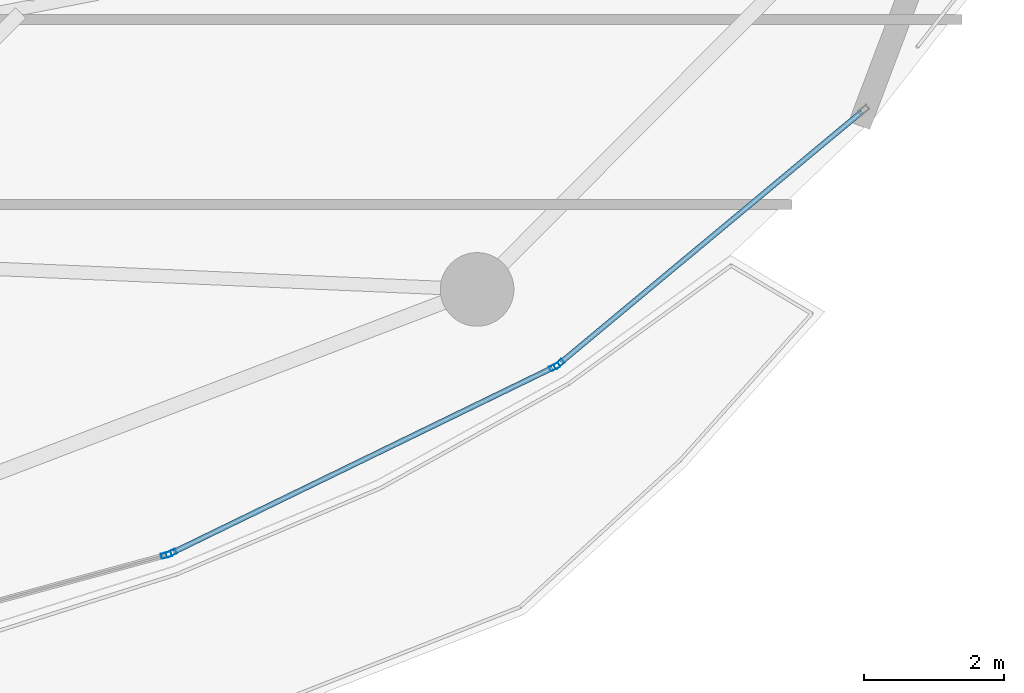
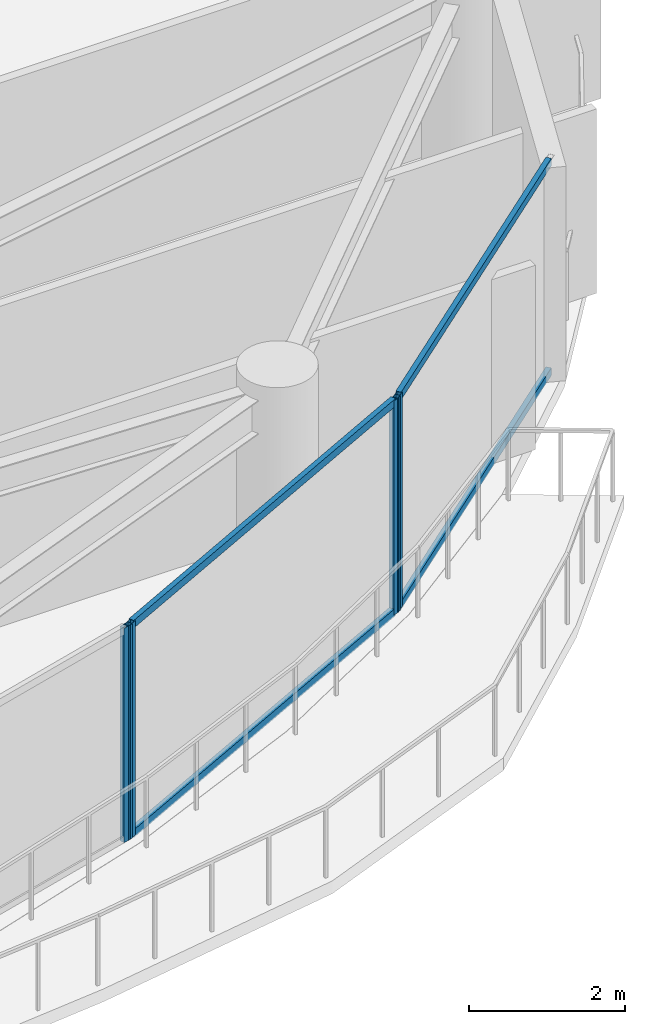
# One storey, part 12 of 29: 8 members, 3 elements without a shape of their own.
"""IFC4 building model written with IfcOpenShell, lengths in metres."""

from ifc_helpers import new_model, si_unit, direction, frame, origin, origin_2d, place, context, subcontext, project, spatial, hollow_rectangle, extrude, material, layer, layer_set, material_profile, profile_set, type_object, element, aggregate, save


model = new_model("IFC4")

# Units and contexts
model_context = context("Model", 3, precision=1e-05, world=origin(), true_north=direction((0.0, 1.0)))
body_context = subcontext(model_context, "Body", "Model", "MODEL_VIEW")
ifc_project = project(units=[si_unit("LENGTHUNIT", "METRE"), si_unit("AREAUNIT", "SQUARE_METRE"), si_unit("VOLUMEUNIT", "CUBIC_METRE"), si_unit("PLANEANGLEUNIT", "RADIAN"), si_unit("MASSUNIT", "GRAM", prefix="KILO")], contexts=[model_context])

# Site, building, storey
site_placement = place(None, origin())
site = spatial("IfcSite", under=ifc_project, at=site_placement, CompositionType="ELEMENT")
building_placement = place(site_placement, origin())
building = spatial("IfcBuilding", under=site, at=building_placement, Name="Kazevale Care Tower and Concert Hall", CompositionType="ELEMENT")
storey_placement = place(building_placement, frame((0.0, 0.0, 224.39990234375)))
storey = spatial("IfcBuildingStorey", under=building, at=storey_placement, Name="L59", CompositionType="ELEMENT", Elevation=224.39990234375)

# Curtain wall, member
ifc_material_1 = material(Name="Aluminium 6063-T6 and Low-E Glass", Category="aluminium")
ifc_layer = layer(ifc_material_1, 0.179931640625)
ifc_layer_set = layer_set([ifc_layer], Name="Aluminium 6063-T6 and Low-E Glass")
curtain_wall_type = type_object("IfcCurtainWallType", Name="Sheltered Concave Balcony Curtain Wall CW-5", PredefinedType="NOTDEFINED", material=ifc_layer_set)
curtain_wall_1_placement = place(storey_placement, origin())
curtain_wall_1 = element("IfcCurtainWall", 1, at=curtain_wall_1_placement, inside=storey, type_object=curtain_wall_type, Name="cw:L59:f02", PredefinedType="NOTDEFINED")
ifc_material_2 = material(Name="Aluminium 6063-T6", Category="aluminium")
ifc_material_profile_1 = material_profile(ifc_material_2, hollow_rectangle(XDim=0.074951171875, YDim=0.14990234375, WallThickness=0.00390625, at=origin_2d()), Name="ALU75x150x4")
ifc_profile_set_1 = profile_set([ifc_material_profile_1], Name="Aluminium 6063-T6")
member_type_1 = type_object("IfcMemberType", Name="CW-5 Mullion ALU75x150x4", PredefinedType="MULLION", material=ifc_profile_set_1)
member_1_placement = place(storey_placement, frame((67.417724609375, 21.5869140625, 0.0), z_axis=(0.0, 0.0, 1.0), x_axis=(0.639961217204, -0.768407210062, 0.0)))
member_1 = element("IfcMember", 2, at=member_1_placement, type_object=member_type_1, Name="CW-5 mullion 2", PredefinedType="MULLION", context=body_context, shape_type="SweptSolid", body=[
    extrude(hollow_rectangle(XDim=0.074951171875, YDim=0.14990234375, WallThickness=0.00390625, at=origin_2d()), origin(), (0.0, 0.0, 1.0), 3.360107421875),
])

# Curtain wall, members
curtain_wall_2_placement = place(storey_placement, origin())
curtain_wall_2 = element("IfcCurtainWall", 3, at=curtain_wall_2_placement, inside=storey, type_object=curtain_wall_type, Name="cw:L59:f03", PredefinedType="NOTDEFINED")
member_2_placement = place(storey_placement, frame((67.355224609375, 21.546630859375, 0.0), z_axis=(0.0, 0.0, 1.0), x_axis=(0.437238357087, -0.89934566163, 0.0)))
member_2 = element("IfcMember", 4, at=member_2_placement, type_object=member_type_1, Name="CW-5 mullion 1", PredefinedType="MULLION", context=body_context, shape_type="SweptSolid", body=[
    extrude(hollow_rectangle(XDim=0.074951171875, YDim=0.14990234375, WallThickness=0.00390625, at=origin_2d()), origin(), (0.0, 0.0, 1.0), 3.360107421875),
])
member_3_placement = place(storey_placement, frame((61.8896484375, 18.889404296875, 0.0), z_axis=(0.0, 0.0, 1.0), x_axis=(0.437238357087, -0.89934566163, 0.0)))
member_3 = element("IfcMember", 5, at=member_3_placement, type_object=member_type_1, Name="CW-5 mullion 2", PredefinedType="MULLION", context=body_context, shape_type="SweptSolid", body=[
    extrude(hollow_rectangle(XDim=0.074951171875, YDim=0.14990234375, WallThickness=0.00390625, at=origin_2d()), origin(), (0.0, 0.0, 1.0), 3.360107421875),
])

# Curtain wall, member
curtain_wall_3_placement = place(storey_placement, origin())
curtain_wall_3 = element("IfcCurtainWall", 6, at=curtain_wall_3_placement, inside=storey, type_object=curtain_wall_type, Name="cw:L59:f04", PredefinedType="NOTDEFINED")
member_4_placement = place(storey_placement, frame((61.81982421875, 18.863037109375, 0.0), z_axis=(0.0, 0.0, 1.0), x_axis=(0.262848968947, -0.964836991167, 0.0)))
member_4 = element("IfcMember", 7, at=member_4_placement, type_object=member_type_1, Name="CW-5 mullion 1", PredefinedType="MULLION", context=body_context, shape_type="SweptSolid", body=[
    extrude(hollow_rectangle(XDim=0.074951171875, YDim=0.14990234375, WallThickness=0.00390625, at=origin_2d()), origin(), (0.0, 0.0, 1.0), 3.360107421875),
])
aggregate(curtain_wall_3, [member_4])

# Member
ifc_material_profile_2 = material_profile(ifc_material_2, hollow_rectangle(XDim=0.074951171875, YDim=0.1201171875, WallThickness=0.00390625, at=origin_2d()), Name="ALU75x120x4")
ifc_profile_set_2 = profile_set([ifc_material_profile_2], Name="Aluminium 6063-T6")
member_type_2 = type_object("IfcMemberType", Name="CW-5 Transom ALU75x120x4", PredefinedType="USERDEFINED", material=ifc_profile_set_2)
member_5_placement = place(storey_placement, frame((71.734375, 25.181884765625, 0.03759765625), z_axis=(-0.768432829708, -0.639930454211, 0.0), x_axis=(0.639930454211, -0.768432829708, 0.0)))
member_5 = element("IfcMember", 8, at=member_5_placement, type_object=member_type_2, Name="CW-5 transom 1.1", ObjectType="TRANSOM", PredefinedType="USERDEFINED", context=body_context, shape_type="SweptSolid", body=[
    extrude(hollow_rectangle(XDim=0.074951171875, YDim=0.1201171875, WallThickness=0.00390625, at=origin_2d()), origin(), (0.0, 0.0, 1.0), 5.580078125),
])

member_6_placement = place(storey_placement, frame((71.734375, 25.181884765625, 3.322509765625), z_axis=(-0.768432829708, -0.639930454211, 0.0), x_axis=(0.639930454211, -0.768432829708, 0.0)))
member_6 = element("IfcMember", 9, at=member_6_placement, type_object=member_type_2, Name="CW-5 transom 1.2", ObjectType="TRANSOM", PredefinedType="USERDEFINED", context=body_context, shape_type="SweptSolid", body=[
    extrude(hollow_rectangle(XDim=0.074951171875, YDim=0.1201171875, WallThickness=0.00390625, at=origin_2d()), origin(), (0.0, 0.0, 1.0), 5.580078125),
])

aggregate(curtain_wall_1, [member_1, member_5, member_6])

member_7_placement = place(storey_placement, frame((67.321533203125, 21.5302734375, 0.03759765625), z_axis=(-0.899342308406, -0.437245254189, 0.0), x_axis=(0.437245254189, -0.899342308406, 0.0)))
member_7 = element("IfcMember", 10, at=member_7_placement, type_object=member_type_2, Name="CW-5 transom 1.1", ObjectType="TRANSOM", PredefinedType="USERDEFINED", context=body_context, shape_type="SweptSolid", body=[
    extrude(hollow_rectangle(XDim=0.074951171875, YDim=0.1201171875, WallThickness=0.00390625, at=origin_2d()), origin(), (0.0, 0.0, 1.0), 6.00244140625),
])

member_8_placement = place(storey_placement, frame((67.321533203125, 21.5302734375, 3.322509765625), z_axis=(-0.899342308406, -0.437245254189, 0.0), x_axis=(0.437245254189, -0.899342308406, 0.0)))
member_8 = element("IfcMember", 11, at=member_8_placement, type_object=member_type_2, Name="CW-5 transom 1.2", ObjectType="TRANSOM", PredefinedType="USERDEFINED", context=body_context, shape_type="SweptSolid", body=[
    extrude(hollow_rectangle(XDim=0.074951171875, YDim=0.1201171875, WallThickness=0.00390625, at=origin_2d()), origin(), (0.0, 0.0, 1.0), 6.00244140625),
])

aggregate(curtain_wall_2, [member_2, member_3, member_7, member_8])

save(model, "model.ifc")
